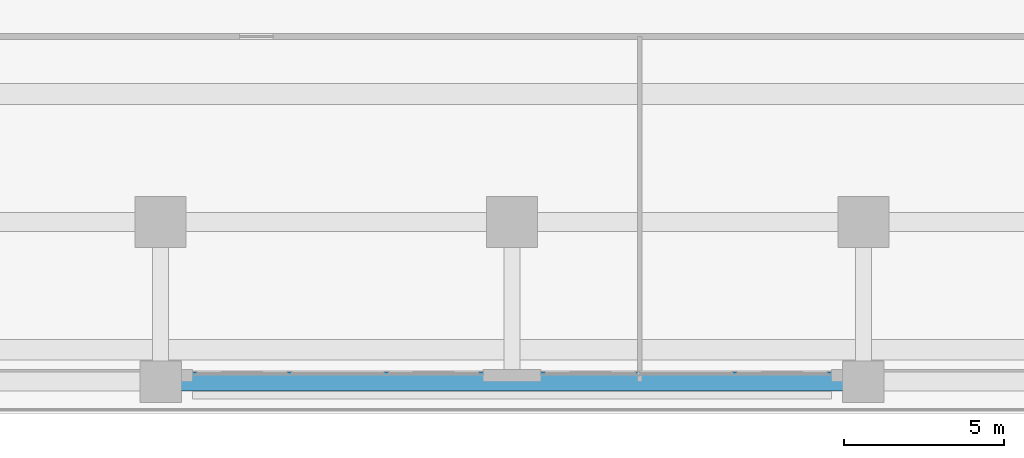
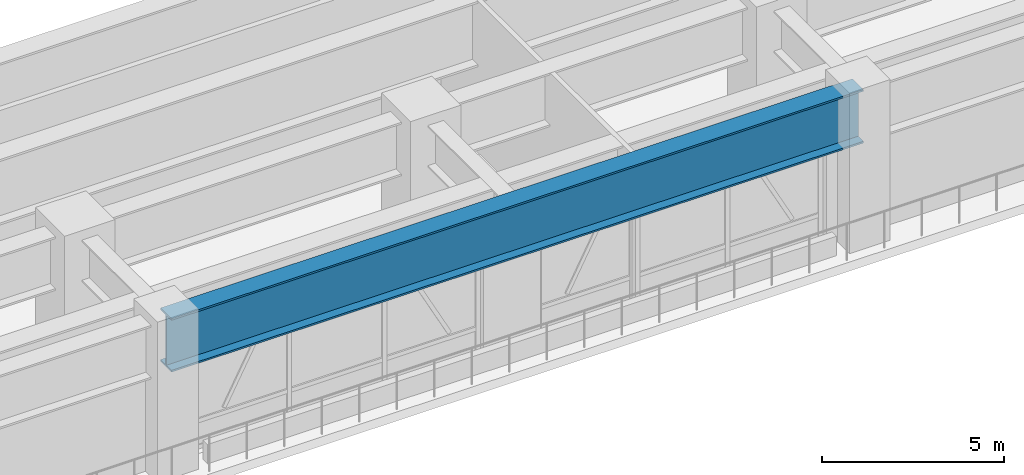
# One storey, part 3 of 28: 1 beam.
"""IFC4 building model written with IfcOpenShell, lengths in metres."""

from ifc_helpers import new_model, si_unit, direction, frame, origin, origin_2d, place, context, subcontext, project, spatial, i_section, extrude, source, transform, mapped, material, material_profile, profile_set, type_object, element, save


model = new_model("IFC4")

# Units and contexts
model_context = context("Model", 3, precision=1e-05, world=origin(), true_north=direction((0.0, 1.0)))
body_context = subcontext(model_context, "Body", "Model", "MODEL_VIEW")
ifc_project = project(units=[si_unit("LENGTHUNIT", "METRE"), si_unit("AREAUNIT", "SQUARE_METRE"), si_unit("VOLUMEUNIT", "CUBIC_METRE"), si_unit("PLANEANGLEUNIT", "RADIAN"), si_unit("MASSUNIT", "GRAM", prefix="KILO")], contexts=[model_context])

# Site, building, storey
site_placement = place(None, origin())
site = spatial("IfcSite", under=ifc_project, at=site_placement, CompositionType="ELEMENT")
building_placement = place(site_placement, origin())
building = spatial("IfcBuilding", under=site, at=building_placement, Name="Khorayat Bourse Tower", CompositionType="ELEMENT")
storey_placement = place(building_placement, frame((0.0, 0.0, 6.60009765625)))
storey = spatial("IfcBuildingStorey", under=building, at=storey_placement, Name="L01", CompositionType="ELEMENT", Elevation=6.60009765625)

# Beam
ifc_material = material(Name="Steel EN 10025-4 S460M", Category="steel")
ifc_material_profile = material_profile(ifc_material, i_section(OverallWidth=0.60009765625, OverallDepth=1.800048828125, WebThickness=0.031982421875, FlangeThickness=0.06005859375, at=origin_2d()), Name="PG 1800x600x32x60")
ifc_profile_set = profile_set([ifc_material_profile], Name="Steel EN 10025-4 S460M")
beam_type = type_object("IfcBeamType", Name="BM-TR-1800", PredefinedType="BEAM", material=ifc_profile_set)
shared_shape = source(origin(), body_context, "Body", "SweptSolid", [
    extrude(i_section(OverallWidth=0.60009765625, OverallDepth=1.800048828125, WebThickness=0.031982421875, FlangeThickness=0.06005859375, at=origin_2d()), origin(), (0.0, 0.0, 1.0), 22.0),
])
beam_placement = place(storey_placement, frame((-11.0, -37.0, 4.179931640625), z_axis=(1.0, 0.0, 0.0), x_axis=(0.0, 1.0, 0.0)))
element("IfcBeam", 1, at=beam_placement, inside=storey, type_object=beam_type, Name="L01 BM-TR-1800 BM-L01-PGX-027", PredefinedType="BEAM", context=body_context, shape_type="MappedRepresentation", body=[
    mapped(shared_shape, transform((0.0, 0.0, 0.0), scale=1.0)),
])

save(model, "model.ifc")
